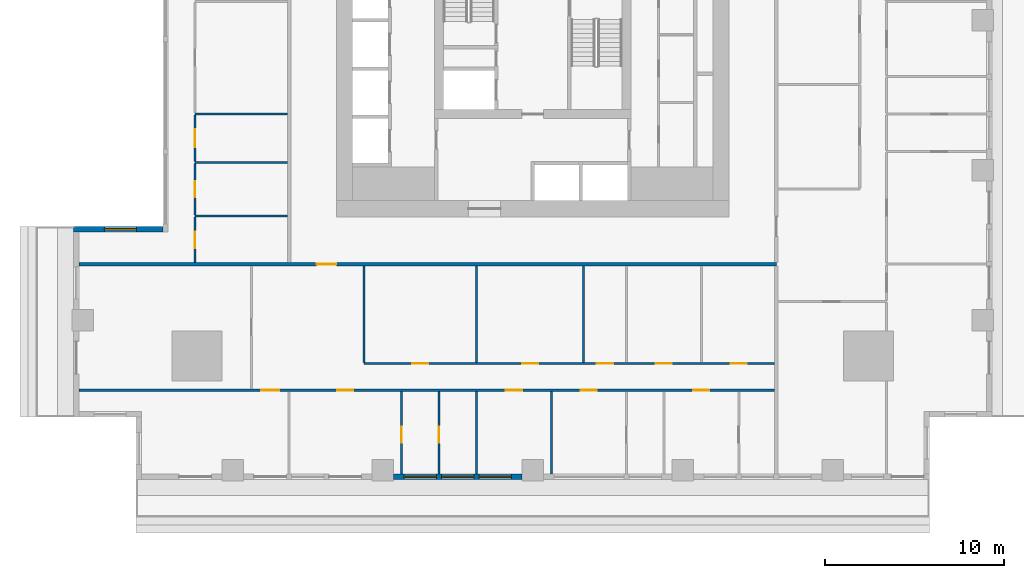
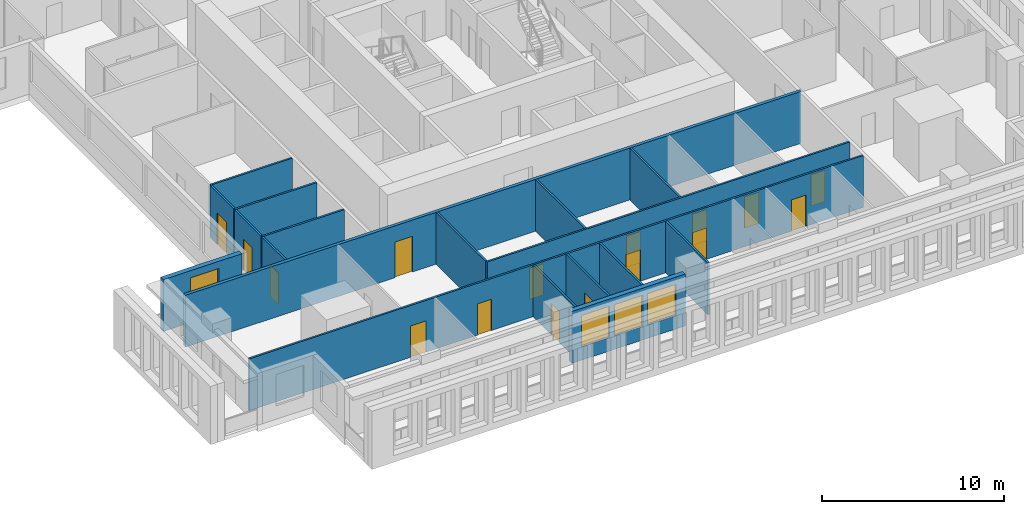
# One storey, part 2 of 14: 18 walls, 16 doors, 4 windows, 20 openings.
"""IFC4 building model written with IfcOpenShell, lengths in metres."""

from ifc_helpers import new_model, si_unit, direction, frame, frame_2d, origin, place, context, subcontext, project, spatial, rectangle, extrude, material, layer, layer_set, type_object, element, fill, save


model = new_model("IFC4")

# Units and contexts
model_context = context("Model", 3, precision=1e-05, world=origin(), true_north=direction((0.0, 1.0)))
body_context = subcontext(model_context, "Body", "Model", "MODEL_VIEW")
ifc_project = project(units=[si_unit("LENGTHUNIT", "METRE"), si_unit("AREAUNIT", "SQUARE_METRE"), si_unit("VOLUMEUNIT", "CUBIC_METRE"), si_unit("PLANEANGLEUNIT", "RADIAN"), si_unit("MASSUNIT", "GRAM", prefix="KILO")], contexts=[model_context])

# Site, building, storey
site_placement = place(None, origin())
site = spatial("IfcSite", under=ifc_project, at=site_placement, CompositionType="ELEMENT")
building_placement = place(site_placement, origin())
building = spatial("IfcBuilding", under=site, at=building_placement, Name="Khepri Terraces", CompositionType="ELEMENT")
storey_placement = place(building_placement, frame((0.0, 0.0, 114.300048828125)))
storey = spatial("IfcBuildingStorey", under=building, at=storey_placement, Name="L27", CompositionType="ELEMENT", Elevation=114.300048828125)

# Wall, opening, door
ifc_material_1 = material(Name="Fire-rated gypsum plasterboard partition, mineral wool")
ifc_layer_1 = layer(ifc_material_1, 0.199951171875, Name="Fire-rated gypsum plasterboard partition, mineral wool")
ifc_layer_set_1 = layer_set([ifc_layer_1], Name="Fire-rated gypsum plasterboard partition, mineral wool")
wall_type_1 = type_object("IfcWallType", Name="WL-CORR-200", PredefinedType="PARTITIONING", material=ifc_layer_set_1)
wall_1_placement = place(storey_placement, frame((-25.419921875, -13.64990234375, 0.0), z_axis=(0.0, 0.0, 1.0), x_axis=(1.0, 0.0, 0.0)))
wall_1 = element("IfcWall", 1, at=wall_1_placement, inside=storey, type_object=wall_type_1, Name="Partition P-022 L27", PredefinedType="PARTITIONING", context=body_context, shape_type="SweptSolid", body=[
    extrude(rectangle(XDim=39.06982421875, YDim=0.199951171875, at=frame_2d((19.534912109375, 0.0))), origin(), (0.0, 0.0, 1.0), 3.47998046875),
])
opening_1_placement = place(wall_1_placement, frame((13.320068359375, 0.0, 0.0)))
opening_1 = element("IfcOpeningElement", 2, at=opening_1_placement, cuts=wall_1, Name="Opening D1", PredefinedType="OPENING", context=body_context, shape_type="SweptSolid", body=[
    extrude(rectangle(XDim=1.10009765625, YDim=2.39990234375, at=frame_2d((0.550048828125, 1.199951171875))), frame((0.0, 0.10986328125, 0.0), z_axis=(0.0, -1.0, 0.0), x_axis=(1.0, 0.0, 0.0)), (0.0, 0.0, 1.0), 0.219970703125),
])
ifc_material_2 = material(Name="Solid-core timber door leaf, flat entrance door", Category="wood")
door_type_1 = type_object("IfcDoorType", Name="DR-ENT-1100", OperationType="NOTDEFINED", PredefinedType="DOOR", material=ifc_material_2)
door_1_placement = place(opening_1_placement, frame((1.10009765625, 0.0, 0.0), z_axis=(0.0, 0.0, 1.0), x_axis=(-1.0, 0.0, 0.0)))
door_1 = element("IfcDoor", 3, at=door_1_placement, inside=storey, type_object=door_type_1, Name="Flat A1 entrance door", OperationType="SINGLE_SWING_RIGHT", OverallHeight=2.39990234375, OverallWidth=1.10009765625, PredefinedType="DOOR", context=body_context, shape_type="SweptSolid", body=[
    extrude(rectangle(XDim=1.10009765625, YDim=2.39990234375, at=frame_2d((0.550048828125, 1.199951171875))), frame((0.0, 0.02490234375, 0.0), z_axis=(0.0, -1.0, 0.0), x_axis=(1.0, 0.0, 0.0)), (0.0, 0.0, 1.0), 0.050048828125),
])
fill(opening_1, door_1)

# Wall, opening, window
ifc_material_3 = material(Name="Precast concrete C50/60 warm stone", Category="masonry")
ifc_layer_2 = layer(ifc_material_3, 0.300048828125, Name="Precast concrete C50/60 warm stone", Category="masonry")
ifc_layer_set_2 = layer_set([ifc_layer_2], Name="Precast concrete C50/60 warm stone")
wall_type_2 = type_object("IfcWallType", Name="WL-EXT-PRECAST-300", PredefinedType="STANDARD", material=ifc_layer_set_2)
wall_2_placement = place(storey_placement, frame((-20.719970703125, -11.699951171875, 0.0), z_axis=(0.0, 0.0, 1.0), x_axis=(-1.0, 0.0, 0.0)))
wall_2 = element("IfcWall", 4, at=wall_2_placement, inside=storey, type_object=wall_type_2, Name="External wall L27 N", PredefinedType="STANDARD", context=body_context, shape_type="SweptSolid", body=[
    extrude(rectangle(XDim=5.0, YDim=0.300048828125, at=frame_2d((2.5, 0.0))), origin(), (0.0, 0.0, 1.0), 3.47998046875),
])
opening_2_placement = place(wall_2_placement, frame((1.47998046875, 0.0, 0.89990234375)))
opening_2 = element("IfcOpeningElement", 5, at=opening_2_placement, cuts=wall_2, Name="Opening W1", PredefinedType="OPENING", context=body_context, shape_type="SweptSolid", body=[
    extrude(rectangle(XDim=1.800048828125, YDim=2.10009765625, at=frame_2d((0.89990234375, 1.050048828125))), frame((0.0, 0.16015625, 0.0), z_axis=(0.0, -1.0, 0.0), x_axis=(1.0, 0.0, 0.0)), (0.0, 0.0, 1.0), 0.320068359375),
])
ifc_material_4 = material(Name="Clear glass", Category="glass")
window_type = type_object("IfcWindowType", Name="WIN-RES-1800x2100", PartitioningType="SINGLE_PANEL", PredefinedType="WINDOW", material=ifc_material_4)
window_1_placement = place(opening_2_placement, origin())
window_1 = element("IfcWindow", 6, at=window_1_placement, inside=storey, type_object=window_type, Name="Window L27 N", OverallHeight=2.10009765625, OverallWidth=1.800048828125, PartitioningType="SINGLE_PANEL", PredefinedType="WINDOW", context=body_context, shape_type="SweptSolid", body=[
    extrude(rectangle(XDim=1.800048828125, YDim=2.10009765625, at=frame_2d((0.89990234375, 1.050048828125))), frame((0.0, 0.030029296875, 0.0), z_axis=(0.0, -1.0, 0.0), x_axis=(1.0, 0.0, 0.0)), (0.0, 0.0, 1.0), 0.06005859375),
])
fill(opening_2, window_1)

# Wall, openings, windows
wall_3_placement = place(storey_placement, frame((-7.800048828125, -25.570068359375, 0.0), z_axis=(0.0, 0.0, 1.0), x_axis=(1.0, 0.0, 0.0)))
wall_3 = element("IfcWall", 7, at=wall_3_placement, inside=storey, type_object=wall_type_2, Name="External wall L27 S", PredefinedType="STANDARD", context=body_context, shape_type="SweptSolid", body=[
    extrude(rectangle(XDim=7.199951171875, YDim=0.300048828125, at=frame_2d((3.60009765625, 0.0))), origin(), (0.0, 0.0, 1.0), 3.47998046875),
])
opening_3_placement = place(wall_3_placement, frame((0.60009765625, 0.0, 0.89990234375)))
opening_3 = element("IfcOpeningElement", 8, at=opening_3_placement, cuts=wall_3, Name="Opening W1", PredefinedType="OPENING", context=body_context, shape_type="SweptSolid", body=[
    extrude(rectangle(XDim=1.800048828125, YDim=2.10009765625, at=frame_2d((0.89990234375, 1.050048828125))), frame((0.0, 0.16015625, 0.0), z_axis=(0.0, -1.0, 0.0), x_axis=(1.0, 0.0, 0.0)), (0.0, 0.0, 1.0), 0.320068359375),
])
opening_4_placement = place(wall_3_placement, frame((2.699951171875, 0.0, 0.89990234375)))
opening_4 = element("IfcOpeningElement", 9, at=opening_4_placement, cuts=wall_3, Name="Opening W1", PredefinedType="OPENING", context=body_context, shape_type="SweptSolid", body=[
    extrude(rectangle(XDim=1.800048828125, YDim=2.10009765625, at=frame_2d((0.89990234375, 1.050048828125))), frame((0.0, 0.16015625, 0.0), z_axis=(0.0, -1.0, 0.0), x_axis=(1.0, 0.0, 0.0)), (0.0, 0.0, 1.0), 0.320068359375),
])
opening_5_placement = place(wall_3_placement, frame((4.800048828125, 0.0, 0.89990234375)))
opening_5 = element("IfcOpeningElement", 10, at=opening_5_placement, cuts=wall_3, Name="Opening W1", PredefinedType="OPENING", context=body_context, shape_type="SweptSolid", body=[
    extrude(rectangle(XDim=1.800048828125, YDim=2.10009765625, at=frame_2d((0.89990234375, 1.050048828125))), frame((0.0, 0.16015625, 0.0), z_axis=(0.0, -1.0, 0.0), x_axis=(1.0, 0.0, 0.0)), (0.0, 0.0, 1.0), 0.320068359375),
])
window_2_placement = place(opening_3_placement, origin())
window_2 = element("IfcWindow", 11, at=window_2_placement, inside=storey, type_object=window_type, Name="Window L27 S", OverallHeight=2.10009765625, OverallWidth=1.800048828125, PartitioningType="SINGLE_PANEL", PredefinedType="WINDOW", context=body_context, shape_type="SweptSolid", body=[
    extrude(rectangle(XDim=1.800048828125, YDim=2.10009765625, at=frame_2d((0.89990234375, 1.050048828125))), frame((0.0, 0.030029296875, 0.0), z_axis=(0.0, -1.0, 0.0), x_axis=(1.0, 0.0, 0.0)), (0.0, 0.0, 1.0), 0.06005859375),
])
fill(opening_3, window_2)
window_3_placement = place(opening_4_placement, origin())
window_3 = element("IfcWindow", 12, at=window_3_placement, inside=storey, type_object=window_type, Name="Window L27 S", OverallHeight=2.10009765625, OverallWidth=1.800048828125, PartitioningType="SINGLE_PANEL", PredefinedType="WINDOW", context=body_context, shape_type="SweptSolid", body=[
    extrude(rectangle(XDim=1.800048828125, YDim=2.10009765625, at=frame_2d((0.89990234375, 1.050048828125))), frame((0.0, 0.030029296875, 0.0), z_axis=(0.0, -1.0, 0.0), x_axis=(1.0, 0.0, 0.0)), (0.0, 0.0, 1.0), 0.06005859375),
])
fill(opening_4, window_3)
window_4_placement = place(opening_5_placement, origin())
window_4 = element("IfcWindow", 13, at=window_4_placement, inside=storey, type_object=window_type, Name="Window L27 S", OverallHeight=2.10009765625, OverallWidth=1.800048828125, PartitioningType="SINGLE_PANEL", PredefinedType="WINDOW", context=body_context, shape_type="SweptSolid", body=[
    extrude(rectangle(XDim=1.800048828125, YDim=2.10009765625, at=frame_2d((0.89990234375, 1.050048828125))), frame((0.0, 0.030029296875, 0.0), z_axis=(0.0, -1.0, 0.0), x_axis=(1.0, 0.0, 0.0)), (0.0, 0.0, 1.0), 0.06005859375),
])
fill(opening_5, window_4)

# Wall, opening, door
ifc_material_5 = material(Name="Gypsum plasterboard partition")
ifc_layer_3 = layer(ifc_material_5, 0.1201171875, Name="Gypsum plasterboard partition")
ifc_layer_set_3 = layer_set([ifc_layer_3], Name="Gypsum plasterboard partition")
wall_type_3 = type_object("IfcWallType", Name="WL-PART-120", PredefinedType="PARTITIONING", material=ifc_layer_set_3)
wall_4_placement = place(storey_placement, frame((-7.35009765625, -25.419921875, 0.0), z_axis=(0.0, 0.0, 1.0), x_axis=(0.0, 1.0, 0.0)))
wall_4 = element("IfcWall", 14, at=wall_4_placement, inside=storey, type_object=wall_type_3, Name="Partition P-002 L27", PredefinedType="PARTITIONING", context=body_context, shape_type="SweptSolid", body=[
    extrude(rectangle(XDim=4.639892578125, YDim=0.1201171875, at=frame_2d((2.31982421875, 0.0))), origin(), (0.0, 0.0, 1.0), 3.47998046875),
])
opening_6_placement = place(wall_4_placement, frame((1.75, 0.0, 0.0)))
opening_6 = element("IfcOpeningElement", 15, at=opening_6_placement, cuts=wall_4, Name="Opening D3", PredefinedType="OPENING", context=body_context, shape_type="SweptSolid", body=[
    extrude(rectangle(XDim=0.89990234375, YDim=2.10009765625, at=frame_2d((0.449951171875, 1.050048828125))), frame((0.0, 0.070068359375, 0.0), z_axis=(0.0, -1.0, 0.0), x_axis=(1.0, 0.0, 0.0)), (0.0, 0.0, 1.0), 0.14013671875),
])
ifc_material_6 = material(Name="Timber door leaf", Category="wood")
door_type_2 = type_object("IfcDoorType", Name="DR-INT-900", OperationType="NOTDEFINED", PredefinedType="DOOR", material=ifc_material_6)
door_2_placement = place(opening_6_placement, frame((0.89990234375, 0.0, 0.0), z_axis=(0.0, 0.0, 1.0), x_axis=(-1.0, 0.0, 0.0)))
door_2 = element("IfcDoor", 16, at=door_2_placement, inside=storey, type_object=door_type_2, Name="Door Dressing Room", OperationType="SINGLE_SWING_RIGHT", OverallHeight=2.10009765625, OverallWidth=0.89990234375, PredefinedType="DOOR", context=body_context, shape_type="SweptSolid", body=[
    extrude(rectangle(XDim=0.89990234375, YDim=2.10009765625, at=frame_2d((0.449951171875, 1.050048828125))), frame((0.0, 0.02490234375, 0.0), z_axis=(0.0, -1.0, 0.0), x_axis=(1.0, 0.0, 0.0)), (0.0, 0.0, 1.0), 0.050048828125),
])
fill(opening_6, door_2)

wall_5_placement = place(storey_placement, frame((-5.25, -25.419921875, 0.0), z_axis=(0.0, 0.0, 1.0), x_axis=(0.0, 1.0, 0.0)))
wall_5 = element("IfcWall", 17, at=wall_5_placement, inside=storey, type_object=wall_type_3, Name="Partition P-003 L27", PredefinedType="PARTITIONING", context=body_context, shape_type="SweptSolid", body=[
    extrude(rectangle(XDim=4.639892578125, YDim=0.1201171875, at=frame_2d((2.31982421875, 0.0))), origin(), (0.0, 0.0, 1.0), 3.47998046875),
])
opening_7_placement = place(wall_5_placement, frame((1.75, 0.0, 0.0)))
opening_7 = element("IfcOpeningElement", 18, at=opening_7_placement, cuts=wall_5, Name="Opening D4", PredefinedType="OPENING", context=body_context, shape_type="SweptSolid", body=[
    extrude(rectangle(XDim=0.89990234375, YDim=2.10009765625, at=frame_2d((0.449951171875, 1.050048828125))), frame((0.0, 0.070068359375, 0.0), z_axis=(0.0, -1.0, 0.0), x_axis=(1.0, 0.0, 0.0)), (0.0, 0.0, 1.0), 0.14013671875),
])
ifc_material_7 = material(Name="Timber door leaf, moisture resistant", Category="wood")
door_type_3 = type_object("IfcDoorType", Name="DR-WET-900", OperationType="NOTDEFINED", PredefinedType="DOOR", material=ifc_material_7)
door_3_placement = place(opening_7_placement, frame((0.89990234375, 0.0, 0.0), z_axis=(0.0, 0.0, 1.0), x_axis=(-1.0, 0.0, 0.0)))
door_3 = element("IfcDoor", 19, at=door_3_placement, inside=storey, type_object=door_type_3, Name="Door Bathroom", OperationType="SINGLE_SWING_RIGHT", OverallHeight=2.10009765625, OverallWidth=0.89990234375, PredefinedType="DOOR", context=body_context, shape_type="SweptSolid", body=[
    extrude(rectangle(XDim=0.89990234375, YDim=2.10009765625, at=frame_2d((0.449951171875, 1.050048828125))), frame((0.0, 0.02490234375, 0.0), z_axis=(0.0, -1.0, 0.0), x_axis=(1.0, 0.0, 0.0)), (0.0, 0.0, 1.0), 0.050048828125),
])
fill(opening_7, door_3)

# Walls
for number, where, z_axis, x_axis, name in (
    (20, (-3.14990234375, -25.419921875, 0.0), (0.0, 0.0, 1.0), (0.0, 1.0, 0.0), "Partition P-004 L27"),
    (21, (1.050048828125, -25.419921875, 0.0), (0.0, 0.0, 1.0), (0.0, 1.0, 0.0), "Partition P-005 L27"),
):
    element("IfcWall", number, at=place(storey_placement, frame(where, z_axis=z_axis, x_axis=x_axis)), inside=storey, type_object=wall_type_3, Name=name, PredefinedType="PARTITIONING", context=body_context, shape_type="SweptSolid", body=[
        extrude(rectangle(XDim=4.639892578125, YDim=0.1201171875, at=frame_2d((2.31982421875, 0.0))), origin(), (0.0, 0.0, 1.0), 3.47998046875),
    ])

# Wall, openings, doors
wall_6_placement = place(storey_placement, frame((-25.419921875, -20.719970703125, 0.0), z_axis=(0.0, 0.0, 1.0), x_axis=(1.0, 0.0, 0.0)))
wall_6 = element("IfcWall", 22, at=wall_6_placement, inside=storey, type_object=wall_type_3, Name="Partition P-011 L27", PredefinedType="PARTITIONING", context=body_context, shape_type="SweptSolid", body=[
    extrude(rectangle(XDim=38.969970703125, YDim=0.1201171875, at=frame_2d((19.48486328125, 0.0))), origin(), (0.0, 0.0, 1.0), 3.47998046875),
])
opening_8_placement = place(wall_6_placement, frame((10.219970703125, 0.0, 0.0)))
opening_8 = element("IfcOpeningElement", 23, at=opening_8_placement, cuts=wall_6, Name="Opening D2", PredefinedType="OPENING", context=body_context, shape_type="SweptSolid", body=[
    extrude(rectangle(XDim=1.0, YDim=2.10009765625, at=frame_2d((0.5, 1.050048828125))), frame((0.0, 0.070068359375, 0.0), z_axis=(0.0, -1.0, 0.0), x_axis=(1.0, 0.0, 0.0)), (0.0, 0.0, 1.0), 0.14013671875),
])
opening_9_placement = place(wall_6_placement, frame((14.469970703125, 0.0, 0.0)))
opening_9 = element("IfcOpeningElement", 24, at=opening_9_placement, cuts=wall_6, Name="Opening D3", PredefinedType="OPENING", context=body_context, shape_type="SweptSolid", body=[
    extrude(rectangle(XDim=0.89990234375, YDim=2.10009765625, at=frame_2d((0.449951171875, 1.050048828125))), frame((0.0, 0.070068359375, 0.0), z_axis=(0.0, -1.0, 0.0), x_axis=(1.0, 0.0, 0.0)), (0.0, 0.0, 1.0), 0.14013671875),
])
opening_10_placement = place(wall_6_placement, frame((23.919921875, 0.0, 0.0)))
opening_10 = element("IfcOpeningElement", 25, at=opening_10_placement, cuts=wall_6, Name="Opening D3", PredefinedType="OPENING", context=body_context, shape_type="SweptSolid", body=[
    extrude(rectangle(XDim=0.89990234375, YDim=2.10009765625, at=frame_2d((0.449951171875, 1.050048828125))), frame((0.0, 0.070068359375, 0.0), z_axis=(0.0, -1.0, 0.0), x_axis=(1.0, 0.0, 0.0)), (0.0, 0.0, 1.0), 0.14013671875),
])
opening_11_placement = place(wall_6_placement, frame((28.1201171875, 0.0, 0.0)))
opening_11 = element("IfcOpeningElement", 26, at=opening_11_placement, cuts=wall_6, Name="Opening D3", PredefinedType="OPENING", context=body_context, shape_type="SweptSolid", body=[
    extrude(rectangle(XDim=0.89990234375, YDim=2.10009765625, at=frame_2d((0.449951171875, 1.050048828125))), frame((0.0, 0.070068359375, 0.0), z_axis=(0.0, -1.0, 0.0), x_axis=(1.0, 0.0, 0.0)), (0.0, 0.0, 1.0), 0.14013671875),
])
opening_12_placement = place(wall_6_placement, frame((34.419921875, 0.0, 0.0)))
opening_12 = element("IfcOpeningElement", 27, at=opening_12_placement, cuts=wall_6, Name="Opening D3", PredefinedType="OPENING", context=body_context, shape_type="SweptSolid", body=[
    extrude(rectangle(XDim=0.89990234375, YDim=2.10009765625, at=frame_2d((0.449951171875, 1.050048828125))), frame((0.0, 0.070068359375, 0.0), z_axis=(0.0, -1.0, 0.0), x_axis=(1.0, 0.0, 0.0)), (0.0, 0.0, 1.0), 0.14013671875),
])
ifc_material_8 = material(Name="Timber door leaf, living room door", Category="wood")
door_type_4 = type_object("IfcDoorType", Name="DR-INT-1000", OperationType="NOTDEFINED", PredefinedType="DOOR", material=ifc_material_8)
door_4_placement = place(opening_8_placement, frame((1.0, 0.0, 0.0), z_axis=(0.0, 0.0, 1.0), x_axis=(-1.0, 0.0, 0.0)))
door_4 = element("IfcDoor", 28, at=door_4_placement, inside=storey, type_object=door_type_4, Name="Door Living Room", OperationType="SINGLE_SWING_RIGHT", OverallHeight=2.10009765625, OverallWidth=1.0, PredefinedType="DOOR", context=body_context, shape_type="SweptSolid", body=[
    extrude(rectangle(XDim=1.0, YDim=2.10009765625, at=frame_2d((0.5, 1.050048828125))), frame((0.0, 0.02490234375, 0.0), z_axis=(0.0, -1.0, 0.0), x_axis=(1.0, 0.0, 0.0)), (0.0, 0.0, 1.0), 0.050048828125),
])
fill(opening_8, door_4)
door_5_placement = place(opening_9_placement, frame((0.89990234375, 0.0, 0.0), z_axis=(0.0, 0.0, 1.0), x_axis=(-1.0, 0.0, 0.0)))
door_5 = element("IfcDoor", 29, at=door_5_placement, inside=storey, type_object=door_type_2, Name="Door Master Bedroom", OperationType="SINGLE_SWING_RIGHT", OverallHeight=2.10009765625, OverallWidth=0.89990234375, PredefinedType="DOOR", context=body_context, shape_type="SweptSolid", body=[
    extrude(rectangle(XDim=0.89990234375, YDim=2.10009765625, at=frame_2d((0.449951171875, 1.050048828125))), frame((0.0, 0.02490234375, 0.0), z_axis=(0.0, -1.0, 0.0), x_axis=(1.0, 0.0, 0.0)), (0.0, 0.0, 1.0), 0.050048828125),
])
fill(opening_9, door_5)
door_6_placement = place(opening_10_placement, frame((0.89990234375, 0.0, 0.0), z_axis=(0.0, 0.0, 1.0), x_axis=(-1.0, 0.0, 0.0)))
door_6 = element("IfcDoor", 30, at=door_6_placement, inside=storey, type_object=door_type_2, Name="Door Home Office", OperationType="SINGLE_SWING_LEFT", OverallHeight=2.10009765625, OverallWidth=0.89990234375, PredefinedType="DOOR", context=body_context, shape_type="SweptSolid", body=[
    extrude(rectangle(XDim=0.89990234375, YDim=2.10009765625, at=frame_2d((0.449951171875, 1.050048828125))), frame((0.0, 0.02490234375, 0.0), z_axis=(0.0, -1.0, 0.0), x_axis=(1.0, 0.0, 0.0)), (0.0, 0.0, 1.0), 0.050048828125),
])
fill(opening_10, door_6)
door_7_placement = place(opening_11_placement, frame((0.89990234375, 0.0, 0.0), z_axis=(0.0, 0.0, 1.0), x_axis=(-1.0, 0.0, 0.0)))
door_7 = element("IfcDoor", 31, at=door_7_placement, inside=storey, type_object=door_type_2, Name="Door Bedroom", OperationType="SINGLE_SWING_LEFT", OverallHeight=2.10009765625, OverallWidth=0.89990234375, PredefinedType="DOOR", context=body_context, shape_type="SweptSolid", body=[
    extrude(rectangle(XDim=0.89990234375, YDim=2.10009765625, at=frame_2d((0.449951171875, 1.050048828125))), frame((0.0, 0.02490234375, 0.0), z_axis=(0.0, -1.0, 0.0), x_axis=(1.0, 0.0, 0.0)), (0.0, 0.0, 1.0), 0.050048828125),
])
fill(opening_11, door_7)
door_8_placement = place(opening_12_placement, frame((0.89990234375, 0.0, 0.0), z_axis=(0.0, 0.0, 1.0), x_axis=(-1.0, 0.0, 0.0)))
door_8 = element("IfcDoor", 32, at=door_8_placement, inside=storey, type_object=door_type_2, Name="Door Bedroom", OperationType="SINGLE_SWING_LEFT", OverallHeight=2.10009765625, OverallWidth=0.89990234375, PredefinedType="DOOR", context=body_context, shape_type="SweptSolid", body=[
    extrude(rectangle(XDim=0.89990234375, YDim=2.10009765625, at=frame_2d((0.449951171875, 1.050048828125))), frame((0.0, 0.02490234375, 0.0), z_axis=(0.0, -1.0, 0.0), x_axis=(1.0, 0.0, 0.0)), (0.0, 0.0, 1.0), 0.050048828125),
])
fill(opening_12, door_8)

wall_7_placement = place(storey_placement, frame((-9.449951171875, -19.219970703125, 0.0), z_axis=(0.0, 0.0, 1.0), x_axis=(1.0, 0.0, 0.0)))
wall_7 = element("IfcWall", 33, at=wall_7_placement, inside=storey, type_object=wall_type_3, Name="Partition P-013 L27", PredefinedType="PARTITIONING", context=body_context, shape_type="SweptSolid", body=[
    extrude(rectangle(XDim=23.0, YDim=0.1201171875, at=frame_2d((11.5, 0.0))), origin(), (0.0, 0.0, 1.0), 3.47998046875),
])
opening_13_placement = place(wall_7_placement, frame((2.699951171875, 0.0, 0.0)))
opening_13 = element("IfcOpeningElement", 34, at=opening_13_placement, cuts=wall_7, Name="Opening D3", PredefinedType="OPENING", context=body_context, shape_type="SweptSolid", body=[
    extrude(rectangle(XDim=0.89990234375, YDim=2.10009765625, at=frame_2d((0.449951171875, 1.050048828125))), frame((0.0, 0.070068359375, 0.0), z_axis=(0.0, -1.0, 0.0), x_axis=(1.0, 0.0, 0.0)), (0.0, 0.0, 1.0), 0.14013671875),
])
opening_14_placement = place(wall_7_placement, frame((8.85009765625, 0.0, 0.0)))
opening_14 = element("IfcOpeningElement", 35, at=opening_14_placement, cuts=wall_7, Name="Opening D3", PredefinedType="OPENING", context=body_context, shape_type="SweptSolid", body=[
    extrude(rectangle(XDim=0.89990234375, YDim=2.10009765625, at=frame_2d((0.449951171875, 1.050048828125))), frame((0.0, 0.070068359375, 0.0), z_axis=(0.0, -1.0, 0.0), x_axis=(1.0, 0.0, 0.0)), (0.0, 0.0, 1.0), 0.14013671875),
])
opening_15_placement = place(wall_7_placement, frame((13.050048828125, 0.0, 0.0)))
opening_15 = element("IfcOpeningElement", 36, at=opening_15_placement, cuts=wall_7, Name="Opening D4", PredefinedType="OPENING", context=body_context, shape_type="SweptSolid", body=[
    extrude(rectangle(XDim=0.89990234375, YDim=2.10009765625, at=frame_2d((0.449951171875, 1.050048828125))), frame((0.0, 0.070068359375, 0.0), z_axis=(0.0, -1.0, 0.0), x_axis=(1.0, 0.0, 0.0)), (0.0, 0.0, 1.0), 0.14013671875),
])
opening_16_placement = place(wall_7_placement, frame((16.35009765625, 0.0, 0.0)))
opening_16 = element("IfcOpeningElement", 37, at=opening_16_placement, cuts=wall_7, Name="Opening D4", PredefinedType="OPENING", context=body_context, shape_type="SweptSolid", body=[
    extrude(rectangle(XDim=0.89990234375, YDim=2.10009765625, at=frame_2d((0.449951171875, 1.050048828125))), frame((0.0, 0.070068359375, 0.0), z_axis=(0.0, -1.0, 0.0), x_axis=(1.0, 0.0, 0.0)), (0.0, 0.0, 1.0), 0.14013671875),
])
opening_17_placement = place(wall_7_placement, frame((20.550048828125, 0.0, 0.0)))
opening_17 = element("IfcOpeningElement", 38, at=opening_17_placement, cuts=wall_7, Name="Opening D3", PredefinedType="OPENING", context=body_context, shape_type="SweptSolid", body=[
    extrude(rectangle(XDim=0.89990234375, YDim=2.10009765625, at=frame_2d((0.449951171875, 1.050048828125))), frame((0.0, 0.070068359375, 0.0), z_axis=(0.0, -1.0, 0.0), x_axis=(1.0, 0.0, 0.0)), (0.0, 0.0, 1.0), 0.14013671875),
])
door_9_placement = place(opening_13_placement, origin())
door_9 = element("IfcDoor", 39, at=door_9_placement, inside=storey, type_object=door_type_2, Name="Door Kitchen", OperationType="SINGLE_SWING_LEFT", OverallHeight=2.10009765625, OverallWidth=0.89990234375, PredefinedType="DOOR", context=body_context, shape_type="SweptSolid", body=[
    extrude(rectangle(XDim=0.89990234375, YDim=2.10009765625, at=frame_2d((0.449951171875, 1.050048828125))), frame((0.0, 0.02490234375, 0.0), z_axis=(0.0, -1.0, 0.0), x_axis=(1.0, 0.0, 0.0)), (0.0, 0.0, 1.0), 0.050048828125),
])
fill(opening_13, door_9)
door_10_placement = place(opening_14_placement, origin())
door_10 = element("IfcDoor", 40, at=door_10_placement, inside=storey, type_object=door_type_2, Name="Door Staff Bedroom", OperationType="SINGLE_SWING_LEFT", OverallHeight=2.10009765625, OverallWidth=0.89990234375, PredefinedType="DOOR", context=body_context, shape_type="SweptSolid", body=[
    extrude(rectangle(XDim=0.89990234375, YDim=2.10009765625, at=frame_2d((0.449951171875, 1.050048828125))), frame((0.0, 0.02490234375, 0.0), z_axis=(0.0, -1.0, 0.0), x_axis=(1.0, 0.0, 0.0)), (0.0, 0.0, 1.0), 0.050048828125),
])
fill(opening_14, door_10)
door_11_placement = place(opening_17_placement, origin())
door_11 = element("IfcDoor", 41, at=door_11_placement, inside=storey, type_object=door_type_2, Name="Door Library", OperationType="SINGLE_SWING_RIGHT", OverallHeight=2.10009765625, OverallWidth=0.89990234375, PredefinedType="DOOR", context=body_context, shape_type="SweptSolid", body=[
    extrude(rectangle(XDim=0.89990234375, YDim=2.10009765625, at=frame_2d((0.449951171875, 1.050048828125))), frame((0.0, 0.02490234375, 0.0), z_axis=(0.0, -1.0, 0.0), x_axis=(1.0, 0.0, 0.0)), (0.0, 0.0, 1.0), 0.050048828125),
])
fill(opening_17, door_11)
door_12_placement = place(opening_15_placement, origin())
door_12 = element("IfcDoor", 42, at=door_12_placement, inside=storey, type_object=door_type_3, Name="Door Powder Room", OperationType="SINGLE_SWING_RIGHT", OverallHeight=2.10009765625, OverallWidth=0.89990234375, PredefinedType="DOOR", context=body_context, shape_type="SweptSolid", body=[
    extrude(rectangle(XDim=0.89990234375, YDim=2.10009765625, at=frame_2d((0.449951171875, 1.050048828125))), frame((0.0, 0.02490234375, 0.0), z_axis=(0.0, -1.0, 0.0), x_axis=(1.0, 0.0, 0.0)), (0.0, 0.0, 1.0), 0.050048828125),
])
fill(opening_15, door_12)
door_13_placement = place(opening_16_placement, origin())
door_13 = element("IfcDoor", 43, at=door_13_placement, inside=storey, type_object=door_type_3, Name="Door Guest Bathroom", OperationType="SINGLE_SWING_RIGHT", OverallHeight=2.10009765625, OverallWidth=0.89990234375, PredefinedType="DOOR", context=body_context, shape_type="SweptSolid", body=[
    extrude(rectangle(XDim=0.89990234375, YDim=2.10009765625, at=frame_2d((0.449951171875, 1.050048828125))), frame((0.0, 0.02490234375, 0.0), z_axis=(0.0, -1.0, 0.0), x_axis=(1.0, 0.0, 0.0)), (0.0, 0.0, 1.0), 0.050048828125),
])
fill(opening_16, door_13)

# Walls
for number, where, z_axis, x_axis, name in (
    (44, (-9.449951171875, -19.159912109375, 0.0), (0.0, 0.0, 1.0), (0.0, 1.0, 0.0), "Partition P-014 L27"),
    (45, (-3.14990234375, -19.159912109375, 0.0), (0.0, 0.0, 1.0), (0.0, 1.0, 0.0), "Partition P-015 L27"),
    (46, (2.85009765625, -19.159912109375, 0.0), (0.0, 0.0, 1.0), (0.0, 1.0, 0.0), "Partition P-016 L27"),
):
    element("IfcWall", number, at=place(storey_placement, frame(where, z_axis=z_axis, x_axis=x_axis)), inside=storey, type_object=wall_type_3, Name=name, PredefinedType="PARTITIONING", context=body_context, shape_type="SweptSolid", body=[
        extrude(rectangle(XDim=5.409912109375, YDim=0.1201171875, at=frame_2d((2.705078125, 0.0))), origin(), (0.0, 0.0, 1.0), 3.47998046875),
    ])

# Wall, opening, door
wall_8_placement = place(storey_placement, frame((-18.919921875, -13.550048828125, 0.0), z_axis=(0.0, 0.0, 1.0), x_axis=(0.0, 1.0, 0.0)))
wall_8 = element("IfcWall", 47, at=wall_8_placement, inside=storey, type_object=wall_type_3, Name="Partition P-025 L27", PredefinedType="PARTITIONING", context=body_context, shape_type="SweptSolid", body=[
    extrude(rectangle(XDim=2.5400390625, YDim=0.1201171875, at=frame_2d((1.27001953125, 0.0))), origin(), (0.0, 0.0, 1.0), 3.47998046875),
])
opening_18_placement = place(wall_8_placement, frame((0.800048828125, 0.0, 0.0)))
opening_18 = element("IfcOpeningElement", 48, at=opening_18_placement, cuts=wall_8, Name="Opening D4", PredefinedType="OPENING", context=body_context, shape_type="SweptSolid", body=[
    extrude(rectangle(XDim=0.89990234375, YDim=2.10009765625, at=frame_2d((0.449951171875, 1.050048828125))), frame((0.0, 0.070068359375, 0.0), z_axis=(0.0, -1.0, 0.0), x_axis=(1.0, 0.0, 0.0)), (0.0, 0.0, 1.0), 0.14013671875),
])
door_14_placement = place(opening_18_placement, frame((0.89990234375, 0.0, 0.0), z_axis=(0.0, 0.0, 1.0), x_axis=(-1.0, 0.0, 0.0)))
door_14 = element("IfcDoor", 49, at=door_14_placement, inside=storey, type_object=door_type_3, Name="Door Guest Bathroom", OperationType="SINGLE_SWING_RIGHT", OverallHeight=2.10009765625, OverallWidth=0.89990234375, PredefinedType="DOOR", context=body_context, shape_type="SweptSolid", body=[
    extrude(rectangle(XDim=0.89990234375, YDim=2.10009765625, at=frame_2d((0.449951171875, 1.050048828125))), frame((0.0, 0.02490234375, 0.0), z_axis=(0.0, -1.0, 0.0), x_axis=(1.0, 0.0, 0.0)), (0.0, 0.0, 1.0), 0.050048828125),
])
fill(opening_18, door_14)

# Wall
wall_9_placement = place(storey_placement, frame((-18.919921875, -10.949951171875, 0.0), z_axis=(0.0, 0.0, 1.0), x_axis=(1.0, 0.0, 0.0)))
element("IfcWall", 50, at=wall_9_placement, inside=storey, type_object=wall_type_3, Name="Partition P-028 L27", PredefinedType="PARTITIONING", context=body_context, shape_type="SweptSolid", body=[
    extrude(rectangle(XDim=5.169921875, YDim=0.1201171875, at=frame_2d((2.5849609375, 0.0))), origin(), (0.0, 0.0, 1.0), 3.47998046875),
])

# Wall, opening, door
wall_10_placement = place(storey_placement, frame((-18.919921875, -10.889892578125, 0.0), z_axis=(0.0, 0.0, 1.0), x_axis=(0.0, 1.0, 0.0)))
wall_10 = element("IfcWall", 51, at=wall_10_placement, inside=storey, type_object=wall_type_3, Name="Partition P-029 L27", PredefinedType="PARTITIONING", context=body_context, shape_type="SweptSolid", body=[
    extrude(rectangle(XDim=2.8798828125, YDim=0.1201171875, at=frame_2d((1.43994140625, 0.0))), origin(), (0.0, 0.0, 1.0), 3.47998046875),
])
opening_19_placement = place(wall_10_placement, frame((0.989990234375, 0.0, 0.0)))
opening_19 = element("IfcOpeningElement", 52, at=opening_19_placement, cuts=wall_10, Name="Opening D3", PredefinedType="OPENING", context=body_context, shape_type="SweptSolid", body=[
    extrude(rectangle(XDim=0.89990234375, YDim=2.10009765625, at=frame_2d((0.449951171875, 1.050048828125))), frame((0.0, 0.070068359375, 0.0), z_axis=(0.0, -1.0, 0.0), x_axis=(1.0, 0.0, 0.0)), (0.0, 0.0, 1.0), 0.14013671875),
])
door_15_placement = place(opening_19_placement, frame((0.89990234375, 0.0, 0.0), z_axis=(0.0, 0.0, 1.0), x_axis=(-1.0, 0.0, 0.0)))
door_15 = element("IfcDoor", 53, at=door_15_placement, inside=storey, type_object=door_type_2, Name="Door Staff Bedroom", OperationType="SINGLE_SWING_LEFT", OverallHeight=2.10009765625, OverallWidth=0.89990234375, PredefinedType="DOOR", context=body_context, shape_type="SweptSolid", body=[
    extrude(rectangle(XDim=0.89990234375, YDim=2.10009765625, at=frame_2d((0.449951171875, 1.050048828125))), frame((0.0, 0.02490234375, 0.0), z_axis=(0.0, -1.0, 0.0), x_axis=(1.0, 0.0, 0.0)), (0.0, 0.0, 1.0), 0.050048828125),
])
fill(opening_19, door_15)

# Wall
wall_11_placement = place(storey_placement, frame((-18.919921875, -7.949951171875, 0.0), z_axis=(0.0, 0.0, 1.0), x_axis=(1.0, 0.0, 0.0)))
element("IfcWall", 54, at=wall_11_placement, inside=storey, type_object=wall_type_3, Name="Partition P-032 L27", PredefinedType="PARTITIONING", context=body_context, shape_type="SweptSolid", body=[
    extrude(rectangle(XDim=5.169921875, YDim=0.1201171875, at=frame_2d((2.5849609375, 0.0))), origin(), (0.0, 0.0, 1.0), 3.47998046875),
])

# Wall, opening, door
wall_12_placement = place(storey_placement, frame((-18.919921875, -7.889892578125, 0.0), z_axis=(0.0, 0.0, 1.0), x_axis=(0.0, 1.0, 0.0)))
wall_12 = element("IfcWall", 55, at=wall_12_placement, inside=storey, type_object=wall_type_3, Name="Partition P-033 L27", PredefinedType="PARTITIONING", context=body_context, shape_type="SweptSolid", body=[
    extrude(rectangle(XDim=2.579833984375, YDim=0.1201171875, at=frame_2d((1.2900390625, 0.0))), origin(), (0.0, 0.0, 1.0), 3.47998046875),
])
opening_20_placement = place(wall_12_placement, frame((0.7900390625, 0.0, 0.0)))
opening_20 = element("IfcOpeningElement", 56, at=opening_20_placement, cuts=wall_12, Name="Opening D2", PredefinedType="OPENING", context=body_context, shape_type="SweptSolid", body=[
    extrude(rectangle(XDim=1.0, YDim=2.10009765625, at=frame_2d((0.5, 1.050048828125))), frame((0.0, 0.070068359375, 0.0), z_axis=(0.0, -1.0, 0.0), x_axis=(1.0, 0.0, 0.0)), (0.0, 0.0, 1.0), 0.14013671875),
])
door_16_placement = place(opening_20_placement, frame((1.0, 0.0, 0.0), z_axis=(0.0, 0.0, 1.0), x_axis=(-1.0, 0.0, 0.0)))
door_16 = element("IfcDoor", 57, at=door_16_placement, inside=storey, type_object=door_type_4, Name="Door Family Room", OperationType="SINGLE_SWING_LEFT", OverallHeight=2.10009765625, OverallWidth=1.0, PredefinedType="DOOR", context=body_context, shape_type="SweptSolid", body=[
    extrude(rectangle(XDim=1.0, YDim=2.10009765625, at=frame_2d((0.5, 1.050048828125))), frame((0.0, 0.02490234375, 0.0), z_axis=(0.0, -1.0, 0.0), x_axis=(1.0, 0.0, 0.0)), (0.0, 0.0, 1.0), 0.050048828125),
])
fill(opening_20, door_16)

# Wall
wall_13_placement = place(storey_placement, frame((-18.919921875, -5.25, 0.0), z_axis=(0.0, 0.0, 1.0), x_axis=(1.0, 0.0, 0.0)))
element("IfcWall", 58, at=wall_13_placement, inside=storey, type_object=wall_type_3, Name="Partition P-036 L27", PredefinedType="PARTITIONING", context=body_context, shape_type="SweptSolid", body=[
    extrude(rectangle(XDim=5.169921875, YDim=0.1201171875, at=frame_2d((2.5849609375, 0.0))), origin(), (0.0, 0.0, 1.0), 3.47998046875),
])

save(model, "model.ifc")
